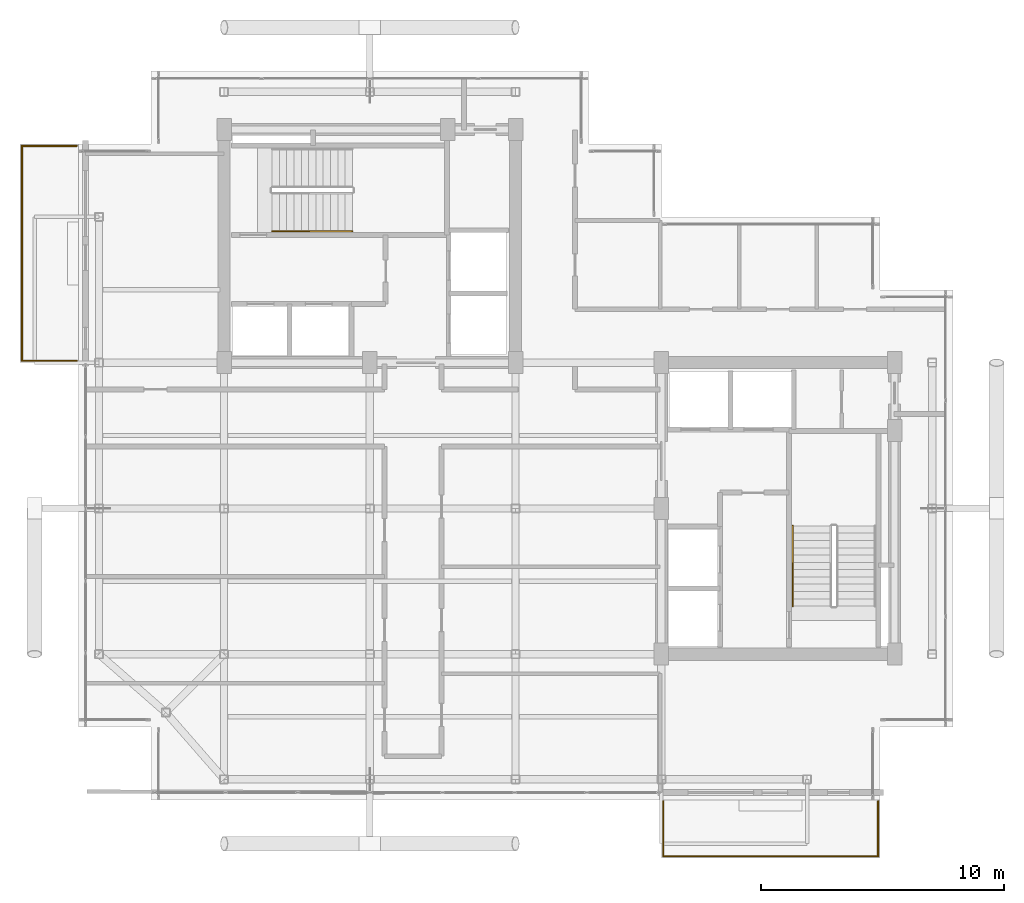
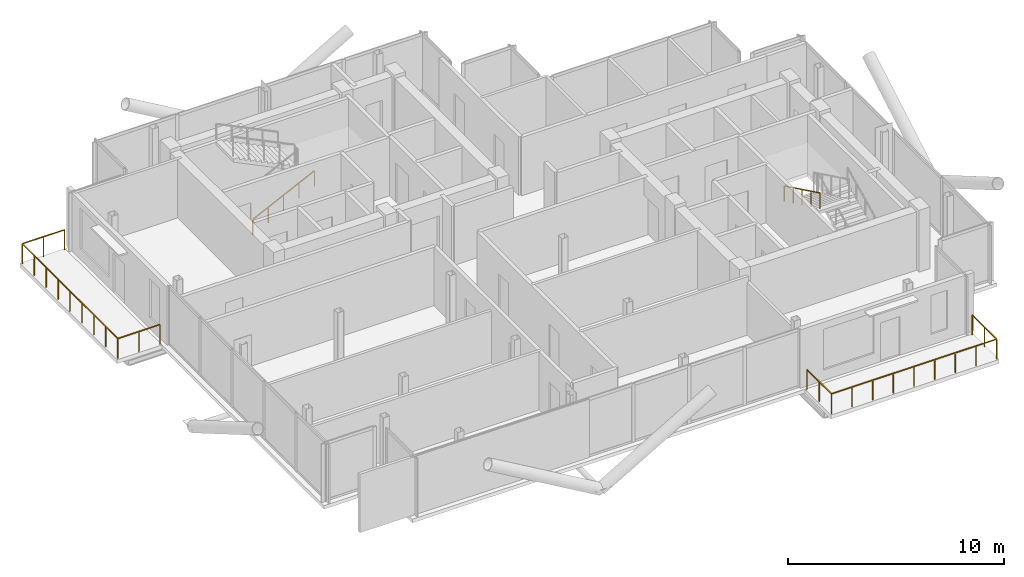
# One storey, part 17 of 18: 4 railings.
"""IFC4 building model written with IfcOpenShell, lengths in metres."""

from ifc_helpers import new_model, si_unit, direction, frame, origin, origin_2d, place, context, subcontext, project, spatial, rectangle, extrude, material, type_object, element, save


model = new_model("IFC4")

# Units and contexts
model_context = context("Model", 3, precision=1e-05, world=origin(), true_north=direction((0.0, 1.0)))
body_context = subcontext(model_context, "Body", "Model", "MODEL_VIEW")
ifc_project = project(units=[si_unit("LENGTHUNIT", "METRE"), si_unit("AREAUNIT", "SQUARE_METRE"), si_unit("VOLUMEUNIT", "CUBIC_METRE"), si_unit("PLANEANGLEUNIT", "RADIAN"), si_unit("MASSUNIT", "GRAM", prefix="KILO"), si_unit("THERMODYNAMICTEMPERATUREUNIT", "KELVIN"), si_unit("POWERUNIT", "WATT")], contexts=[model_context])

# Site, building, storey
site_placement = place(None, origin())
site = spatial("IfcSite", under=ifc_project, at=site_placement, CompositionType="ELEMENT")
building_placement = place(site_placement, origin())
building = spatial("IfcBuilding", under=site, at=building_placement, Name="Svarakhadi Broadcast Tower", CompositionType="ELEMENT")
storey_placement = place(building_placement, frame((0.0, 0.0, 274.699951171875)))
storey = spatial("IfcBuildingStorey", under=building, at=storey_placement, Name="L69", CompositionType="ELEMENT", Elevation=274.699951171875)

# Railings
ifc_material_1 = material(Name="Laminated Structural SentryGlas Balustrade 25.5 mm", Category="glass")
railing_type_1 = type_object("IfcRailingType", Name="Guard_Balcony_GR01", PredefinedType="BALUSTRADE", material=ifc_material_1)
railing_1_placement = place(storey_placement, frame((24.080078125, -0.06005859375, 0.0)))
element("IfcRailing", 1, at=railing_1_placement, inside=storey, type_object=railing_type_1, Name="L69 South Tree Balcony Guard GR-05", PredefinedType="BALUSTRADE", context=body_context, shape_type="SweptSolid", body=[
    extrude(rectangle(XDim=0.048095703125, YDim=0.048095703125, at=origin_2d()), frame((0.0, 0.0, 1.1259765625), z_axis=(0.0, -1.0, 0.0), x_axis=(1.0, 0.0, 0.0)), (0.0, 0.0, 1.0), 2.260009765625),
    extrude(rectangle(XDim=0.048095703125, YDim=0.048095703125, at=origin_2d()), frame((0.0, -2.260009765625, 1.1259765625), z_axis=(1.0, 0.0, 0.0), x_axis=(0.0, 1.0, 0.0)), (0.0, 0.0, 1.0), 8.83984375),
    extrude(rectangle(XDim=0.048095703125, YDim=0.048095703125, at=origin_2d()), frame((8.83984375, -2.260009765625, 1.1259765625), z_axis=(0.0, 1.0, 0.0), x_axis=(-1.0, 0.0, 0.0)), (0.0, 0.0, 1.0), 2.260009765625),
    extrude(rectangle(XDim=0.0419921875, YDim=0.0419921875, at=origin_2d()), origin(), (0.0, 0.0, 1.0), 1.101806640625),
    extrude(rectangle(XDim=0.0419921875, YDim=0.0419921875, at=origin_2d()), frame((0.0, -1.1298828125, 0.0)), (0.0, 0.0, 1.0), 1.101806640625),
    extrude(rectangle(XDim=0.0419921875, YDim=0.0419921875, at=origin_2d()), frame((0.0, -2.260009765625, 0.0)), (0.0, 0.0, 1.0), 1.101806640625),
    extrude(rectangle(XDim=0.0419921875, YDim=0.0419921875, at=origin_2d()), frame((1.10498046875, -2.260009765625, 0.0)), (0.0, 0.0, 1.0), 1.101806640625),
    extrude(rectangle(XDim=0.0419921875, YDim=0.0419921875, at=origin_2d()), frame((2.2099609375, -2.260009765625, 0.0)), (0.0, 0.0, 1.0), 1.101806640625),
    extrude(rectangle(XDim=0.0419921875, YDim=0.0419921875, at=origin_2d()), frame((3.31494140625, -2.260009765625, 0.0)), (0.0, 0.0, 1.0), 1.101806640625),
    extrude(rectangle(XDim=0.0419921875, YDim=0.0419921875, at=origin_2d()), frame((4.419921875, -2.260009765625, 0.0)), (0.0, 0.0, 1.0), 1.101806640625),
    extrude(rectangle(XDim=0.0419921875, YDim=0.0419921875, at=origin_2d()), frame((5.52490234375, -2.260009765625, 0.0)), (0.0, 0.0, 1.0), 1.101806640625),
    extrude(rectangle(XDim=0.0419921875, YDim=0.0419921875, at=origin_2d()), frame((6.6298828125, -2.260009765625, 0.0)), (0.0, 0.0, 1.0), 1.101806640625),
    extrude(rectangle(XDim=0.0419921875, YDim=0.0419921875, at=origin_2d()), frame((7.73486328125, -2.260009765625, 0.0)), (0.0, 0.0, 1.0), 1.101806640625),
    extrude(rectangle(XDim=0.0419921875, YDim=0.0419921875, at=origin_2d()), frame((8.83984375, -2.260009765625, 0.0)), (0.0, 0.0, 1.0), 1.101806640625),
    extrude(rectangle(XDim=0.0419921875, YDim=0.0419921875, at=origin_2d()), frame((8.83984375, -1.1298828125, 0.0)), (0.0, 0.0, 1.0), 1.101806640625),
    extrude(rectangle(XDim=0.0419921875, YDim=0.0419921875, at=origin_2d()), frame((8.83984375, 0.0, 0.0)), (0.0, 0.0, 1.0), 1.101806640625),
])
railing_2_placement = place(storey_placement, frame((-0.06005859375, 18.080078125, 0.0)))
element("IfcRailing", 2, at=railing_2_placement, inside=storey, type_object=railing_type_1, Name="L69 West Tree Balcony Guard GR-05", PredefinedType="BALUSTRADE", context=body_context, shape_type="SweptSolid", body=[
    extrude(rectangle(XDim=0.048095703125, YDim=0.048095703125, at=origin_2d()), frame((0.0, 0.0, 1.1259765625), z_axis=(-1.0, 0.0, 0.0), x_axis=(0.0, -1.0, 0.0)), (0.0, 0.0, 1.0), 2.260009765625),
    extrude(rectangle(XDim=0.048095703125, YDim=0.048095703125, at=origin_2d()), frame((-2.260009765625, 0.0, 1.1259765625), z_axis=(0.0, 1.0, 0.0), x_axis=(-1.0, 0.0, 0.0)), (0.0, 0.0, 1.0), 8.83984375),
    extrude(rectangle(XDim=0.048095703125, YDim=0.048095703125, at=origin_2d()), frame((-2.260009765625, 8.83984375, 1.1259765625), z_axis=(1.0, 0.0, 0.0), x_axis=(0.0, 1.0, 0.0)), (0.0, 0.0, 1.0), 2.260009765625),
    extrude(rectangle(XDim=0.0419921875, YDim=0.0419921875, at=origin_2d()), origin(), (0.0, 0.0, 1.0), 1.101806640625),
    extrude(rectangle(XDim=0.0419921875, YDim=0.0419921875, at=origin_2d()), frame((-1.1298828125, 0.0, 0.0)), (0.0, 0.0, 1.0), 1.101806640625),
    extrude(rectangle(XDim=0.0419921875, YDim=0.0419921875, at=origin_2d()), frame((-2.260009765625, 0.0, 0.0)), (0.0, 0.0, 1.0), 1.101806640625),
    extrude(rectangle(XDim=0.0419921875, YDim=0.0419921875, at=origin_2d()), frame((-2.260009765625, 1.10498046875, 0.0)), (0.0, 0.0, 1.0), 1.101806640625),
    extrude(rectangle(XDim=0.0419921875, YDim=0.0419921875, at=origin_2d()), frame((-2.260009765625, 2.2099609375, 0.0)), (0.0, 0.0, 1.0), 1.101806640625),
    extrude(rectangle(XDim=0.0419921875, YDim=0.0419921875, at=origin_2d()), frame((-2.260009765625, 3.31494140625, 0.0)), (0.0, 0.0, 1.0), 1.101806640625),
    extrude(rectangle(XDim=0.0419921875, YDim=0.0419921875, at=origin_2d()), frame((-2.260009765625, 4.419921875, 0.0)), (0.0, 0.0, 1.0), 1.101806640625),
    extrude(rectangle(XDim=0.0419921875, YDim=0.0419921875, at=origin_2d()), frame((-2.260009765625, 5.52490234375, 0.0)), (0.0, 0.0, 1.0), 1.101806640625),
    extrude(rectangle(XDim=0.0419921875, YDim=0.0419921875, at=origin_2d()), frame((-2.260009765625, 6.6298828125, 0.0)), (0.0, 0.0, 1.0), 1.101806640625),
    extrude(rectangle(XDim=0.0419921875, YDim=0.0419921875, at=origin_2d()), frame((-2.260009765625, 7.73486328125, 0.0)), (0.0, 0.0, 1.0), 1.101806640625),
    extrude(rectangle(XDim=0.0419921875, YDim=0.0419921875, at=origin_2d()), frame((-2.260009765625, 8.83984375, 0.0)), (0.0, 0.0, 1.0), 1.101806640625),
    extrude(rectangle(XDim=0.0419921875, YDim=0.0419921875, at=origin_2d()), frame((-1.1298828125, 8.83984375, 0.0)), (0.0, 0.0, 1.0), 1.101806640625),
    extrude(rectangle(XDim=0.0419921875, YDim=0.0419921875, at=origin_2d()), frame((0.0, 8.83984375, 0.0)), (0.0, 0.0, 1.0), 1.101806640625),
])
ifc_material_2 = material(Name="Anodised Bronze Aluminium AA 6063-T6", Category="aluminium")
railing_type_2 = type_object("IfcRailingType", Name="Handrail_Stair_HR01", PredefinedType="HANDRAIL", material=ifc_material_2)
railing_3_placement = place(storey_placement, frame((7.97998046875, 23.409912109375, 0.14599609375)))
element("IfcRailing", 3, at=railing_3_placement, inside=storey, type_object=railing_type_2, Name="L69 ST-01 stair handrail 1", PredefinedType="HANDRAIL", context=body_context, shape_type="SweptSolid", body=[
    extrude(rectangle(XDim=0.048095703125, YDim=0.048095703125, at=origin_2d()), frame((0.0, 0.0, 0.8759765625), z_axis=(0.899387838337, 0.0, 0.437151594131), x_axis=(0.0, 1.0, 0.0)), (0.0, 0.0, 1.0), 3.669189453125),
    extrude(rectangle(XDim=0.0419921875, YDim=0.0419921875, at=origin_2d()), origin(), (0.0, 0.0, 1.0), 0.851806640625),
    extrude(rectangle(XDim=0.0419921875, YDim=0.0419921875, at=origin_2d()), frame((0.824951171875, 0.0, 0.40087890625)), (0.0, 0.0, 1.0), 0.851806640625),
    extrude(rectangle(XDim=0.0419921875, YDim=0.0419921875, at=origin_2d()), frame((1.64990234375, 0.0, 0.802001953125)), (0.0, 0.0, 1.0), 0.851806640625),
    extrude(rectangle(XDim=0.0419921875, YDim=0.0419921875, at=origin_2d()), frame((2.47509765625, 0.0, 1.203125)), (0.0, 0.0, 1.0), 0.851806640625),
    extrude(rectangle(XDim=0.0419921875, YDim=0.0419921875, at=origin_2d()), frame((3.300048828125, 0.0, 1.60400390625)), (0.0, 0.0, 1.0), 0.851806640625),
])
railing_4_placement = place(storey_placement, frame((29.409912109375, 11.280029296875, 1.89599609375)))
element("IfcRailing", 4, at=railing_4_placement, inside=storey, type_object=railing_type_2, Name="L69 ST-02 stair handrail 2", PredefinedType="HANDRAIL", context=body_context, shape_type="SweptSolid", body=[
    extrude(rectangle(XDim=0.048095703125, YDim=0.048095703125, at=origin_2d()), frame((0.0, 0.0, 0.8759765625), z_axis=(0.0, -0.899387838337, 0.437151594131), x_axis=(1.0, 0.0, 0.0)), (0.0, 0.0, 1.0), 3.669189453125),
    extrude(rectangle(XDim=0.0419921875, YDim=0.0419921875, at=origin_2d()), origin(), (0.0, 0.0, 1.0), 0.851806640625),
    extrude(rectangle(XDim=0.0419921875, YDim=0.0419921875, at=origin_2d()), frame((0.0, -0.824951171875, 0.40087890625)), (0.0, 0.0, 1.0), 0.851806640625),
    extrude(rectangle(XDim=0.0419921875, YDim=0.0419921875, at=origin_2d()), frame((0.0, -1.64990234375, 0.802001953125)), (0.0, 0.0, 1.0), 0.851806640625),
    extrude(rectangle(XDim=0.0419921875, YDim=0.0419921875, at=origin_2d()), frame((0.0, -2.47509765625, 1.203125)), (0.0, 0.0, 1.0), 0.851806640625),
    extrude(rectangle(XDim=0.0419921875, YDim=0.0419921875, at=origin_2d()), frame((0.0, -3.300048828125, 1.60400390625)), (0.0, 0.0, 1.0), 0.851806640625),
])

save(model, "model.ifc")
